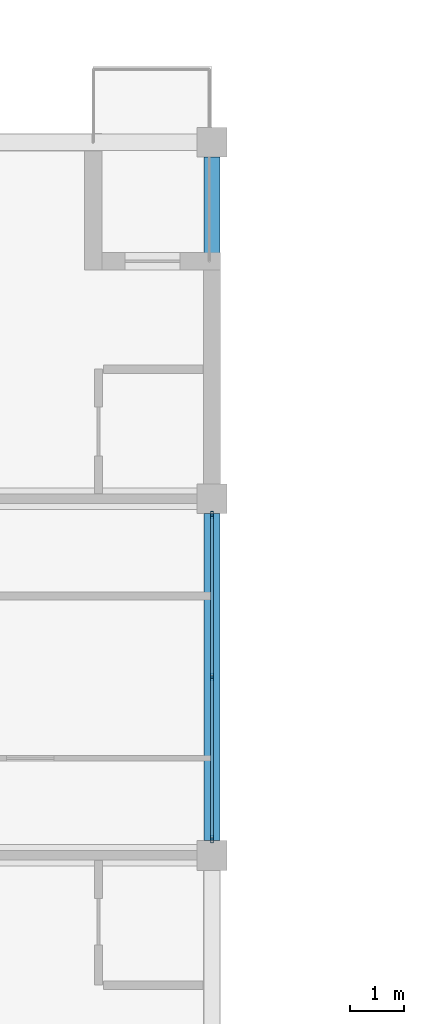
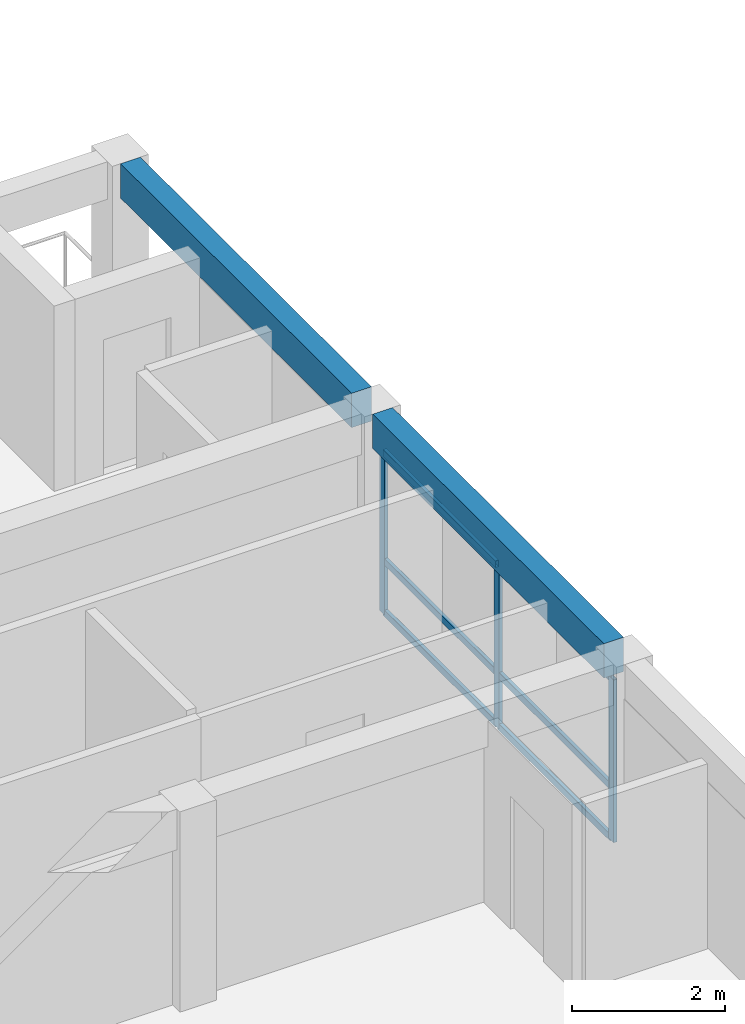
# One storey, part 18 of 45: 9 members, 2 beams, 1 element without a shape of its own.
"""IFC4 building model written with IfcOpenShell, lengths in metres."""

from ifc_helpers import new_model, si_unit, direction, frame, origin, origin_2d, place, context, subcontext, project, spatial, rectangle, hollow_rectangle, extrude, material, material_profile, profile_set, type_object, element, aggregate, save


model = new_model("IFC4")

# Units and contexts
model_context = context("Model", 3, precision=1e-05, world=origin(), true_north=direction((0.0, 1.0)))
body_context = subcontext(model_context, "Body", "Model", "MODEL_VIEW")
ifc_project = project(units=[si_unit("LENGTHUNIT", "METRE"), si_unit("AREAUNIT", "SQUARE_METRE"), si_unit("VOLUMEUNIT", "CUBIC_METRE"), si_unit("PLANEANGLEUNIT", "RADIAN"), si_unit("MASSUNIT", "GRAM", prefix="KILO")], contexts=[model_context])

# Site, building, storey
site_placement = place(None, origin())
site = spatial("IfcSite", under=ifc_project, at=site_placement, CompositionType="ELEMENT")
building_placement = place(site_placement, origin())
building = spatial("IfcBuilding", under=site, at=building_placement, Name="Kernevlak Ridge Housing Community", CompositionType="ELEMENT")
storey_placement = place(building_placement, frame((0.0, 0.0, 21.199951171875)))
storey = spatial("IfcBuildingStorey", under=building, at=storey_placement, Name="L06", CompositionType="ELEMENT", Elevation=21.199951171875)

# Curtain wall, members
ifc_material_1 = material(Name="Aluminium EN AW-6060 anodised and laminated glass", Category="aluminium")
curtain_wall_type = type_object("IfcCurtainWallType", Name="CW-12", PredefinedType="NOTDEFINED", material=ifc_material_1)
curtain_wall_placement = place(storey_placement, origin())
curtain_wall = element("IfcCurtainWall", 1, at=curtain_wall_placement, inside=storey, type_object=curtain_wall_type, Name="Curtain wall CW-12 CW-L06-021", PredefinedType="NOTDEFINED")
ifc_material_2 = material(Name="Aluminium EN AW-6060 anodised", Category="aluminium")
ifc_material_profile_1 = material_profile(ifc_material_2, hollow_rectangle(XDim=0.054931640625, YDim=0.139892578125, WallThickness=0.00390625, InnerFilletRadius=0.001953125, OuterFilletRadius=0.00390625, at=origin_2d()), Name="ALU 55x140x4")
ifc_profile_set_1 = profile_set([ifc_material_profile_1], Name="Aluminium EN AW-6060 anodised")
member_type_1 = type_object("IfcMemberType", Name="MU-01", PredefinedType="MULLION", material=ifc_profile_set_1)
member_1_placement = place(storey_placement, frame((48.60009765625, 82.902587890625, 0.0), z_axis=(0.0, 0.0, 1.0), x_axis=(-1.0, 0.0, 0.0)))
member_1 = element("IfcMember", 2, at=member_1_placement, type_object=member_type_1, Name="CW-12 mullion 1", PredefinedType="MULLION", context=body_context, shape_type="SweptSolid", body=[
    extrude(hollow_rectangle(XDim=0.054931640625, YDim=0.139892578125, WallThickness=0.00390625, InnerFilletRadius=0.001953125, OuterFilletRadius=0.00390625, at=origin_2d()), origin(), (0.0, 0.0, 1.0), 2.60009765625),
])
member_2_placement = place(storey_placement, frame((48.60009765625, 85.89990234375, 0.0), z_axis=(0.0, 0.0, 1.0), x_axis=(-1.0, 0.0, 0.0)))
member_2 = element("IfcMember", 3, at=member_2_placement, type_object=member_type_1, Name="CW-12 mullion 2", PredefinedType="MULLION", context=body_context, shape_type="SweptSolid", body=[
    extrude(hollow_rectangle(XDim=0.054931640625, YDim=0.139892578125, WallThickness=0.00390625, InnerFilletRadius=0.001953125, OuterFilletRadius=0.00390625, at=origin_2d()), origin(), (0.0, 0.0, 1.0), 2.60009765625),
])
member_3_placement = place(storey_placement, frame((48.60009765625, 88.8974609375, 0.0), z_axis=(0.0, 0.0, 1.0), x_axis=(-1.0, 0.0, 0.0)))
member_3 = element("IfcMember", 4, at=member_3_placement, type_object=member_type_1, Name="CW-12 mullion 3", PredefinedType="MULLION", context=body_context, shape_type="SweptSolid", body=[
    extrude(hollow_rectangle(XDim=0.054931640625, YDim=0.139892578125, WallThickness=0.00390625, InnerFilletRadius=0.001953125, OuterFilletRadius=0.00390625, at=origin_2d()), origin(), (0.0, 0.0, 1.0), 2.60009765625),
])

# Beams
ifc_material_3 = material(Name="Concrete C35/45", Category="concrete")
ifc_material_profile_2 = material_profile(ifc_material_3, rectangle(XDim=0.300048828125, YDim=0.550048828125, at=origin_2d()), Name="RC 300x550")
ifc_profile_set_2 = profile_set([ifc_material_profile_2], Name="Concrete C35/45")
beam_type = type_object("IfcBeamType", Name="SP-01", PredefinedType="SPANDREL", material=ifc_profile_set_2)
beam_1_placement = place(storey_placement, frame((48.60009765625, 82.875, 2.925048828125), z_axis=(0.0, 1.0, 0.0), x_axis=(-1.0, 0.0, 0.0)))
element("IfcBeam", 5, at=beam_1_placement, inside=storey, type_object=beam_type, Name="Beam SP-01 L06 237", PredefinedType="SPANDREL", context=body_context, shape_type="SweptSolid", body=[
    extrude(rectangle(XDim=0.300048828125, YDim=0.550048828125, at=origin_2d()), origin(), (0.0, 0.0, 1.0), 6.050048828125),
])
beam_2_placement = place(storey_placement, frame((48.60009765625, 89.47509765625, 2.925048828125), z_axis=(0.0, 1.0, 0.0), x_axis=(-1.0, 0.0, 0.0)))
element("IfcBeam", 6, at=beam_2_placement, inside=storey, type_object=beam_type, Name="Beam SP-01 L06 238", PredefinedType="SPANDREL", context=body_context, shape_type="SweptSolid", body=[
    extrude(rectangle(XDim=0.300048828125, YDim=0.550048828125, at=origin_2d()), origin(), (0.0, 0.0, 1.0), 6.0498046875),
])

# Member
ifc_material_profile_3 = material_profile(ifc_material_2, hollow_rectangle(XDim=0.054931640625, YDim=0.110107421875, WallThickness=0.00390625, InnerFilletRadius=0.001953125, OuterFilletRadius=0.00390625, at=origin_2d()), Name="ALU 55x110x4")
ifc_profile_set_3 = profile_set([ifc_material_profile_3], Name="Aluminium EN AW-6060 anodised")
member_type_2 = type_object("IfcMemberType", Name="TM-01", PredefinedType="USERDEFINED", material=ifc_profile_set_3)
member_4_placement = place(storey_placement, frame((48.60009765625, 82.929931640625, 0.027587890625), z_axis=(0.0, 1.0, 0.0), x_axis=(-1.0, 0.0, 0.0)))
member_4 = element("IfcMember", 7, at=member_4_placement, type_object=member_type_2, Name="CW-12 transom 1.1", ObjectType="TRANSOM", PredefinedType="USERDEFINED", context=body_context, shape_type="SweptSolid", body=[
    extrude(hollow_rectangle(XDim=0.054931640625, YDim=0.110107421875, WallThickness=0.00390625, InnerFilletRadius=0.001953125, OuterFilletRadius=0.00390625, at=origin_2d()), origin(), (0.0, 0.0, 1.0), 2.942626953125),
])

member_5_placement = place(storey_placement, frame((48.60009765625, 82.929931640625, 0.85009765625), z_axis=(0.0, 1.0, 0.0), x_axis=(-1.0, 0.0, 0.0)))
member_5 = element("IfcMember", 8, at=member_5_placement, type_object=member_type_2, Name="CW-12 transom 1.2", ObjectType="TRANSOM", PredefinedType="USERDEFINED", context=body_context, shape_type="SweptSolid", body=[
    extrude(hollow_rectangle(XDim=0.054931640625, YDim=0.110107421875, WallThickness=0.00390625, InnerFilletRadius=0.001953125, OuterFilletRadius=0.00390625, at=origin_2d()), origin(), (0.0, 0.0, 1.0), 2.942626953125),
])

member_6_placement = place(storey_placement, frame((48.60009765625, 82.929931640625, 2.572509765625), z_axis=(0.0, 1.0, 0.0), x_axis=(-1.0, 0.0, 0.0)))
member_6 = element("IfcMember", 9, at=member_6_placement, type_object=member_type_2, Name="CW-12 transom 1.3", ObjectType="TRANSOM", PredefinedType="USERDEFINED", context=body_context, shape_type="SweptSolid", body=[
    extrude(hollow_rectangle(XDim=0.054931640625, YDim=0.110107421875, WallThickness=0.00390625, InnerFilletRadius=0.001953125, OuterFilletRadius=0.00390625, at=origin_2d()), origin(), (0.0, 0.0, 1.0), 2.942626953125),
])

member_7_placement = place(storey_placement, frame((48.60009765625, 85.927490234375, 0.027587890625), z_axis=(0.0, 1.0, 0.0), x_axis=(-1.0, 0.0, 0.0)))
member_7 = element("IfcMember", 10, at=member_7_placement, type_object=member_type_2, Name="CW-12 transom 2.1", ObjectType="TRANSOM", PredefinedType="USERDEFINED", context=body_context, shape_type="SweptSolid", body=[
    extrude(hollow_rectangle(XDim=0.054931640625, YDim=0.110107421875, WallThickness=0.00390625, InnerFilletRadius=0.001953125, OuterFilletRadius=0.00390625, at=origin_2d()), origin(), (0.0, 0.0, 1.0), 2.942626953125),
])

member_8_placement = place(storey_placement, frame((48.60009765625, 85.927490234375, 0.85009765625), z_axis=(0.0, 1.0, 0.0), x_axis=(-1.0, 0.0, 0.0)))
member_8 = element("IfcMember", 11, at=member_8_placement, type_object=member_type_2, Name="CW-12 transom 2.2", ObjectType="TRANSOM", PredefinedType="USERDEFINED", context=body_context, shape_type="SweptSolid", body=[
    extrude(hollow_rectangle(XDim=0.054931640625, YDim=0.110107421875, WallThickness=0.00390625, InnerFilletRadius=0.001953125, OuterFilletRadius=0.00390625, at=origin_2d()), origin(), (0.0, 0.0, 1.0), 2.942626953125),
])

member_9_placement = place(storey_placement, frame((48.60009765625, 85.927490234375, 2.572509765625), z_axis=(0.0, 1.0, 0.0), x_axis=(-1.0, 0.0, 0.0)))
member_9 = element("IfcMember", 12, at=member_9_placement, type_object=member_type_2, Name="CW-12 transom 2.3", ObjectType="TRANSOM", PredefinedType="USERDEFINED", context=body_context, shape_type="SweptSolid", body=[
    extrude(hollow_rectangle(XDim=0.054931640625, YDim=0.110107421875, WallThickness=0.00390625, InnerFilletRadius=0.001953125, OuterFilletRadius=0.00390625, at=origin_2d()), origin(), (0.0, 0.0, 1.0), 2.942626953125),
])

aggregate(curtain_wall, [member_1, member_2, member_3, member_4, member_5, member_6, member_7, member_8, member_9])

save(model, "model.ifc")
